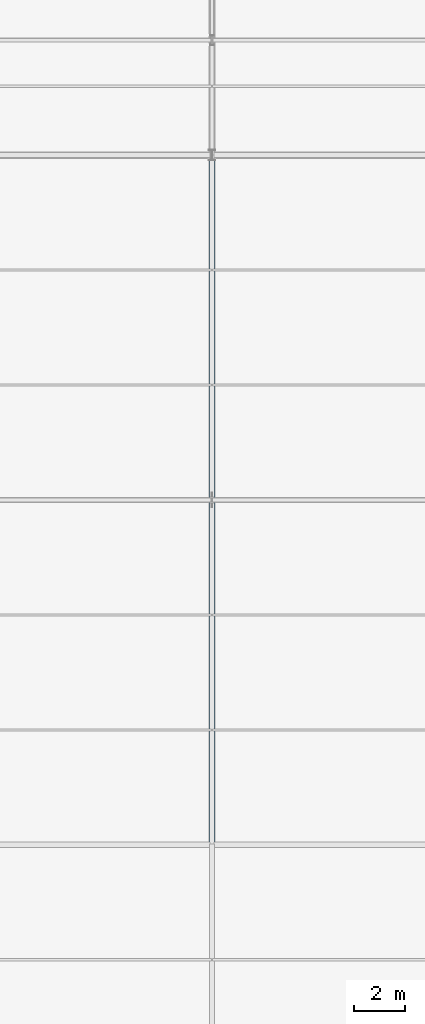
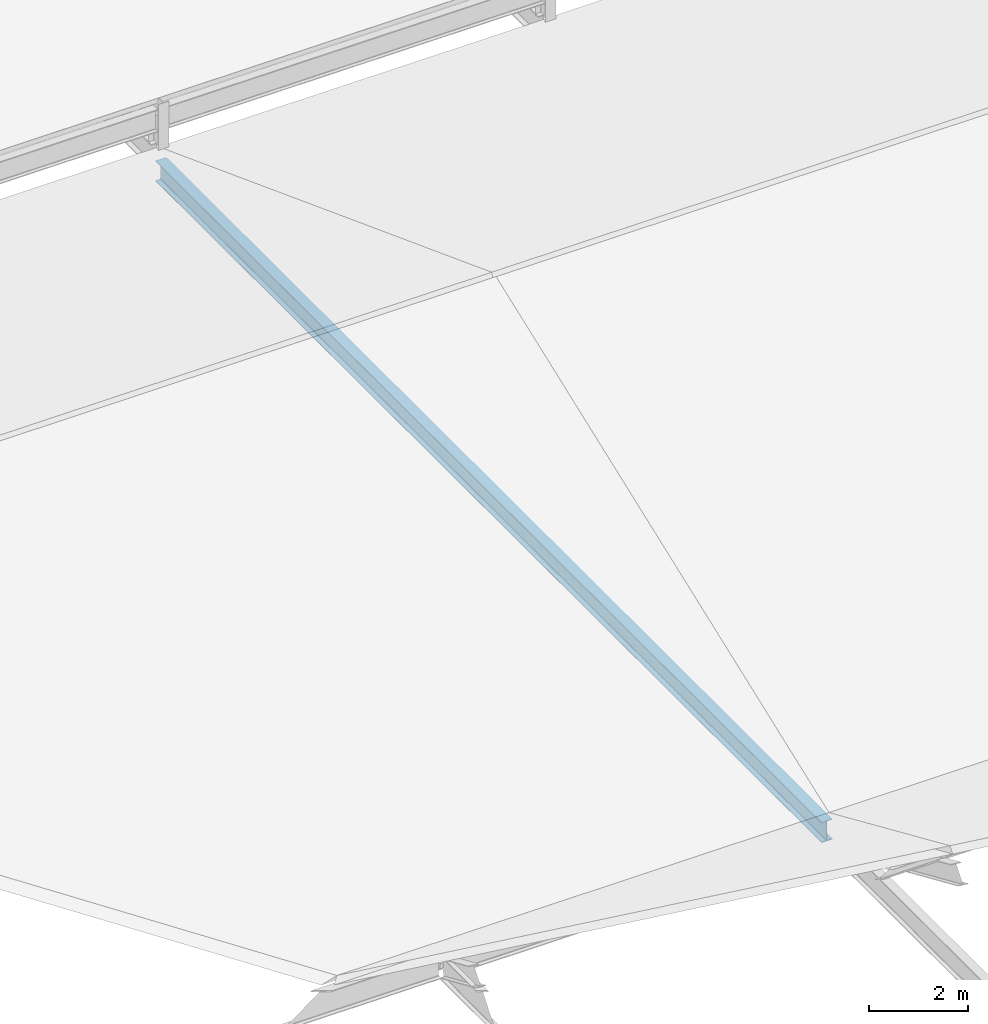
# One storey, part 40 of 163: 1 beam.
"""IFC4 building model written with IfcOpenShell, lengths in metres."""

from ifc_helpers import new_model, si_unit, direction, frame, origin, origin_2d, place, context, subcontext, project, spatial, i_section, extrude, material, material_profile, profile_set, type_object, element, save


model = new_model("IFC4")

# Units and contexts
model_context = context("Model", 3, precision=1e-05, world=origin(), true_north=direction((0.0, 1.0)))
body_context = subcontext(model_context, "Body", "Model", "MODEL_VIEW")
ifc_project = project(units=[si_unit("LENGTHUNIT", "METRE"), si_unit("AREAUNIT", "SQUARE_METRE"), si_unit("VOLUMEUNIT", "CUBIC_METRE"), si_unit("PLANEANGLEUNIT", "RADIAN"), si_unit("MASSUNIT", "GRAM", prefix="KILO")], contexts=[model_context])

# Site, building, storey
site_placement = place(None, origin())
site = spatial("IfcSite", under=ifc_project, at=site_placement, CompositionType="ELEMENT")
building_placement = place(site_placement, origin())
building = spatial("IfcBuilding", under=site, at=building_placement, Name="Tharagai Park Tramway Depot", CompositionType="ELEMENT")
storey_placement = place(building_placement, frame((0.0, 0.0, 8.39990234375)))
storey = spatial("IfcBuildingStorey", under=building, at=storey_placement, Name="L02", CompositionType="ELEMENT", Elevation=8.39990234375)

# Beam
ifc_material = material(Name="Steel E350", Category="steel")
ifc_material_profile = material_profile(ifc_material, i_section(OverallWidth=0.25, OverallDepth=0.5, WebThickness=0.010009765625, FlangeThickness=0.0146484375, FilletRadius=0.014892578125, at=origin_2d()), Name="ISWB 500")
ifc_profile_set = profile_set([ifc_material_profile], Name="Steel E350")
beam_type = type_object("IfcBeamType", Name="BM-08", PredefinedType="BEAM", material=ifc_profile_set)
beam_placement = place(storey_placement, frame((54.0, 63.080078125, -0.5), z_axis=(0.0, 1.0, 0.0), x_axis=(-1.0, 0.0, 0.0)))
element("IfcBeam", 1, at=beam_placement, inside=storey, type_object=beam_type, Name="V2B Gable Tie Girder BM-08", PredefinedType="BEAM", context=body_context, shape_type="SweptSolid", body=[
    extrude(i_section(OverallWidth=0.25, OverallDepth=0.5, WebThickness=0.010009765625, FlangeThickness=0.0146484375, FilletRadius=0.014892578125, at=origin_2d()), origin(), (0.0, 0.0, 1.0), 26.83984375),
])

save(model, "model.ifc")
